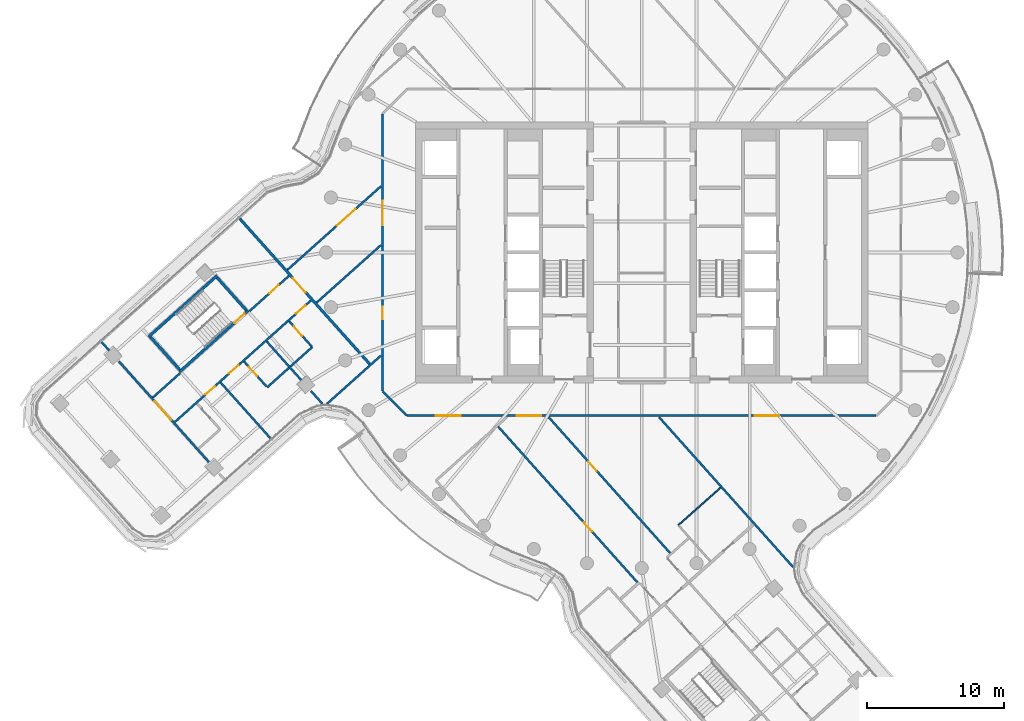
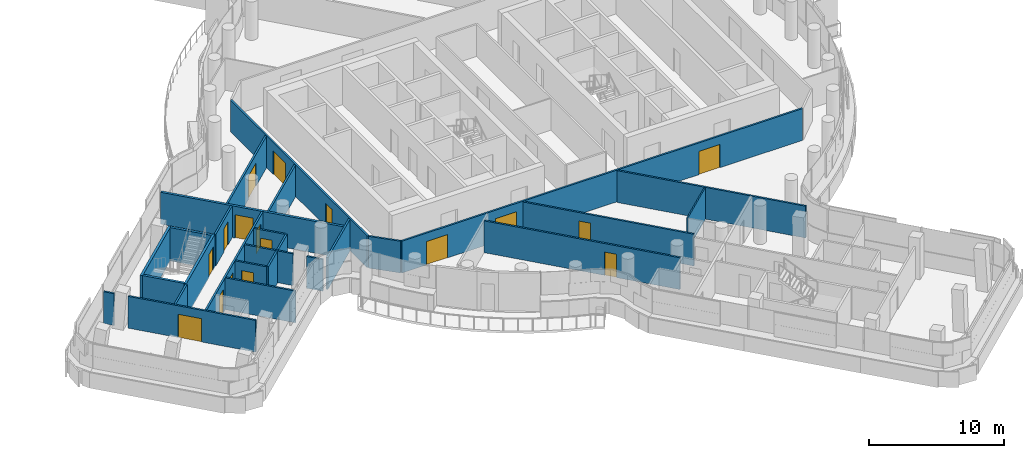
# One storey, part 21 of 33: 26 walls, 17 doors, 17 openings.
"""IFC4 building model written with IfcOpenShell, lengths in metres."""

from ifc_helpers import new_model, si_unit, direction, frame, frame_2d, origin, place, context, subcontext, project, spatial, polyline, rectangle, outline, extrude, material, layer, layer_set, type_object, element, fill, save


model = new_model("IFC4")

# Units and contexts
model_context = context("Model", 3, precision=1e-05, world=origin(), true_north=direction((0.0, 1.0)))
body_context = subcontext(model_context, "Body", "Model", "MODEL_VIEW")
ifc_project = project(units=[si_unit("LENGTHUNIT", "METRE"), si_unit("AREAUNIT", "SQUARE_METRE"), si_unit("VOLUMEUNIT", "CUBIC_METRE"), si_unit("PLANEANGLEUNIT", "RADIAN"), si_unit("MASSUNIT", "GRAM", prefix="KILO")], contexts=[model_context])

# Site, building, storey
site_placement = place(None, origin())
site = spatial("IfcSite", under=ifc_project, at=site_placement, CompositionType="ELEMENT")
building_placement = place(site_placement, origin())
building = spatial("IfcBuilding", under=site, at=building_placement, Name="Tamarind Cross Interchange Tower", CompositionType="ELEMENT")
storey_placement = place(building_placement, frame((0.0, 0.0, 186.10009765625)))
storey = spatial("IfcBuildingStorey", under=building, at=storey_placement, Name="L46", CompositionType="ELEMENT", Elevation=186.10009765625)

# Walls
ifc_material_1 = material(Name="Gypsum board partition on steel studs", Category="steel")
ifc_layer_1 = layer(ifc_material_1, 0.10009765625)
ifc_layer_set_1 = layer_set([ifc_layer_1], Name="Gypsum board partition on steel studs")
wall_type_1 = type_object("IfcWallType", Name="Partition 100 mm EI 90", PredefinedType="PARTITIONING", material=ifc_layer_set_1)
wall_1_placement = place(storey_placement, frame((2.668212890625, -19.88330078125, 0.0), z_axis=(0.0, 0.0, 1.0), x_axis=(0.745587906821, 0.666407287777, 0.0)))
element("IfcWall", 1, at=wall_1_placement, inside=storey, type_object=wall_type_1, Name="Partition L46-063", PredefinedType="PARTITIONING", context=body_context, shape_type="SweptSolid", body=[
    extrude(rectangle(XDim=4.12548828125, YDim=0.10009765625, at=frame_2d((2.062744140625, 0.0))), origin(), (0.0, 0.0, 1.0), 2.864013671875),
])
ifc_layer_2 = layer(ifc_material_1, 0.14990234375)
ifc_layer_set_2 = layer_set([ifc_layer_2], Name="Gypsum board partition on steel studs")
wall_type_2 = type_object("IfcWallType", Name="Partition 150 mm EI 120", PredefinedType="PARTITIONING", material=ifc_layer_set_2)
wall_2_placement = place(storey_placement, frame((-39.362548828125, -6.534423828125, 0.0), z_axis=(0.0, 0.0, 1.0), x_axis=(0.666369607843, -0.745621583475, 0.0)))
element("IfcWall", 2, at=wall_2_placement, inside=storey, type_object=wall_type_2, Name="Partition L46-001", PredefinedType="PARTITIONING", context=body_context, shape_type="SweptSolid", body=[
    extrude(rectangle(XDim=0.822509765625, YDim=0.14990234375, at=frame_2d((0.4111328125, 0.0))), origin(), (0.0, 0.0, 1.0), 2.864013671875),
])

# Wall, opening, door
wall_3_placement = place(storey_placement, frame((-38.105224609375, -7.94091796875, 0.0), z_axis=(0.0, 0.0, 1.0), x_axis=(0.666419304461, -0.745577166121, 0.0)))
wall_3 = element("IfcWall", 3, at=wall_3_placement, inside=storey, type_object=wall_type_2, Name="Partition L46-002", PredefinedType="PARTITIONING", context=body_context, shape_type="SweptSolid", body=[
    extrude(rectangle(XDim=9.9404296875, YDim=0.14990234375, at=frame_2d((4.97021484375, 0.0))), origin(), (0.0, 0.0, 1.0), 2.864013671875),
])
opening_1_placement = place(wall_3_placement, frame((3.912841796875, 0.0, 0.0)))
opening_1 = element("IfcOpeningElement", 4, at=opening_1_placement, cuts=wall_3, Name="Opening D01", PredefinedType="OPENING", context=body_context, shape_type="SweptSolid", body=[
    extrude(rectangle(XDim=1.800048828125, YDim=2.10009765625, at=frame_2d((0.89990234375, 1.050048828125))), frame((0.0, 0.0849609375, 0.0), z_axis=(0.0, -1.0, 0.0), x_axis=(1.0, 0.0, 0.0)), (0.0, 0.0, 1.0), 0.169921875),
])
ifc_material_2 = material(Name="Fire-resisting door set")
door_type_1 = type_object("IfcDoorType", Name="Interior door 1800 x 2100 FD60S", OperationType="DOUBLE_DOOR_SINGLE_SWING", PredefinedType="DOOR", material=ifc_material_2)
door_1_placement = place(opening_1_placement, frame((1.800048828125, 0.0, 0.0), z_axis=(0.0, 0.0, 1.0), x_axis=(-1.0, 0.0, 0.0)))
door_1 = element("IfcDoor", 5, at=door_1_placement, inside=storey, type_object=door_type_1, Name="Door D01", OperationType="DOUBLE_DOOR_SINGLE_SWING", OverallHeight=2.10009765625, OverallWidth=1.800048828125, PredefinedType="DOOR", context=body_context, shape_type="SweptSolid", body=[
    extrude(rectangle(XDim=1.800048828125, YDim=2.10009765625, at=frame_2d((0.89990234375, 1.050048828125))), frame((0.0, 0.02490234375, 0.0), z_axis=(0.0, -1.0, 0.0), x_axis=(1.0, 0.0, 0.0)), (0.0, 0.0, 1.0), 0.050048828125),
])
fill(opening_1, door_1)

# Wall
wall_4_placement = place(storey_placement, frame((-30.690673828125, -9.484619140625, 0.0), z_axis=(0.0, 0.0, 1.0), x_axis=(0.666417845064, -0.745578470572, 0.0)))
element("IfcWall", 6, at=wall_4_placement, inside=storey, type_object=wall_type_2, Name="Partition L46-005", PredefinedType="PARTITIONING", context=body_context, shape_type="SweptSolid", body=[
    extrude(rectangle(XDim=5.45263671875, YDim=0.14990234375, at=frame_2d((2.726318359375, 0.0))), origin(), (0.0, 0.0, 1.0), 2.864013671875),
])

# Wall, opening, door
wall_5_placement = place(storey_placement, frame((-28.9755859375, -7.95166015625, 0.0), z_axis=(0.0, 0.0, 1.0), x_axis=(0.666329800136, -0.745657158117, 0.0)))
wall_5 = element("IfcWall", 7, at=wall_5_placement, inside=storey, type_object=wall_type_2, Name="Partition L46-007", PredefinedType="PARTITIONING", context=body_context, shape_type="SweptSolid", body=[
    extrude(rectangle(XDim=2.440673828125, YDim=0.14990234375, at=frame_2d((1.22021484375, 0.0))), origin(), (0.0, 0.0, 1.0), 2.864013671875),
])
opening_2_placement = place(wall_5_placement, frame((0.52001953125, 0.0, 0.0)))
opening_2 = element("IfcOpeningElement", 8, at=opening_2_placement, cuts=wall_5, Name="Opening D04", PredefinedType="OPENING", context=body_context, shape_type="SweptSolid", body=[
    extrude(rectangle(XDim=0.89990234375, YDim=2.10009765625, at=frame_2d((0.449951171875, 1.050048828125))), frame((0.0, 0.0849609375, 0.0), z_axis=(0.0, -1.0, 0.0), x_axis=(1.0, 0.0, 0.0)), (0.0, 0.0, 1.0), 0.169921875),
])
door_type_2 = type_object("IfcDoorType", Name="Interior door 900 x 2100 FD60S", OperationType="SINGLE_SWING_LEFT", PredefinedType="DOOR", material=ifc_material_2)
door_2_placement = place(opening_2_placement, origin())
door_2 = element("IfcDoor", 9, at=door_2_placement, inside=storey, type_object=door_type_2, Name="Door D04", OperationType="SINGLE_SWING_RIGHT", OverallHeight=2.10009765625, OverallWidth=0.89990234375, PredefinedType="DOOR", context=body_context, shape_type="SweptSolid", body=[
    extrude(rectangle(XDim=0.89990234375, YDim=2.10009765625, at=frame_2d((0.449951171875, 1.050048828125))), frame((0.0, 0.02490234375, 0.0), z_axis=(0.0, -1.0, 0.0), x_axis=(1.0, 0.0, 0.0)), (0.0, 0.0, 1.0), 0.050048828125),
])
fill(opening_2, door_2)

# Walls
wall_6_placement = place(storey_placement, frame((-27.335693359375, -6.485595703125, 0.0), z_axis=(0.0, 0.0, 1.0), x_axis=(0.66639309092, -0.745600595744, 0.0)))
element("IfcWall", 10, at=wall_6_placement, inside=storey, type_object=wall_type_2, Name="Partition L46-008", PredefinedType="PARTITIONING", context=body_context, shape_type="SweptSolid", body=[
    extrude(rectangle(XDim=3.7666015625, YDim=0.14990234375, at=frame_2d((1.88330078125, 0.0))), origin(), (0.0, 0.0, 1.0), 2.864013671875),
])
wall_7_placement = place(storey_placement, frame((-24.11669921875, -10.08740234375, 0.0), z_axis=(0.0, 0.0, 1.0), x_axis=(0.666380789651, -0.745611590028, 0.0)))
element("IfcWall", 11, at=wall_7_placement, inside=storey, type_object=wall_type_2, Name="Partition L46-009", PredefinedType="PARTITIONING", context=body_context, shape_type="SweptSolid", body=[
    extrude(rectangle(XDim=1.275634765625, YDim=0.14990234375, at=frame_2d((0.6376953125, 0.0))), origin(), (0.0, 0.0, 1.0), 2.864013671875),
])

# Wall, opening, door
wall_8_placement = place(storey_placement, frame((-25.694580078125, -5.01953125, 0.0), z_axis=(0.0, 0.0, 1.0), x_axis=(0.666305353451, -0.7456790033, 0.0)))
wall_8 = element("IfcWall", 12, at=wall_8_placement, inside=storey, type_object=wall_type_2, Name="Partition L46-010", PredefinedType="PARTITIONING", context=body_context, shape_type="SweptSolid", body=[
    extrude(rectangle(XDim=2.479248046875, YDim=0.14990234375, at=frame_2d((1.23974609375, 0.0))), origin(), (0.0, 0.0, 1.0), 2.864013671875),
])
opening_3_placement = place(wall_8_placement, frame((0.52001953125, 0.0, 0.0)))
opening_3 = element("IfcOpeningElement", 13, at=opening_3_placement, cuts=wall_8, Name="Opening D05", PredefinedType="OPENING", context=body_context, shape_type="SweptSolid", body=[
    extrude(rectangle(XDim=0.89990234375, YDim=2.10009765625, at=frame_2d((0.449951171875, 1.050048828125))), frame((0.0, 0.0849609375, 0.0), z_axis=(0.0, -1.0, 0.0), x_axis=(1.0, 0.0, 0.0)), (0.0, 0.0, 1.0), 0.169921875),
])
door_3_placement = place(opening_3_placement, frame((0.89990234375, 0.0, 0.0), z_axis=(0.0, 0.0, 1.0), x_axis=(-1.0, 0.0, 0.0)))
door_3 = element("IfcDoor", 14, at=door_3_placement, inside=storey, type_object=door_type_2, Name="Door D05", OperationType="SINGLE_SWING_LEFT", OverallHeight=2.10009765625, OverallWidth=0.89990234375, PredefinedType="DOOR", context=body_context, shape_type="SweptSolid", body=[
    extrude(rectangle(XDim=0.89990234375, YDim=2.10009765625, at=frame_2d((0.449951171875, 1.050048828125))), frame((0.0, 0.02490234375, 0.0), z_axis=(0.0, -1.0, 0.0), x_axis=(1.0, 0.0, 0.0)), (0.0, 0.0, 1.0), 0.050048828125),
])
fill(opening_3, door_3)

wall_9_placement = place(storey_placement, frame((-10.4697265625, -12.6875, 0.0), z_axis=(0.0, 0.0, 1.0), x_axis=(0.666418267017, -0.745578093419, 0.0)))
wall_9 = element("IfcWall", 15, at=wall_9_placement, inside=storey, type_object=wall_type_2, Name="Partition L46-019", PredefinedType="PARTITIONING", context=body_context, shape_type="SweptSolid", body=[
    extrude(rectangle(XDim=15.22021484375, YDim=0.14990234375, at=frame_2d((7.610107421875, 0.0))), origin(), (0.0, 0.0, 1.0), 2.864013671875),
])
opening_4_placement = place(wall_9_placement, frame((9.3701171875, 0.0, 0.0)))
opening_4 = element("IfcOpeningElement", 16, at=opening_4_placement, cuts=wall_9, Name="Opening D10", PredefinedType="OPENING", context=body_context, shape_type="SweptSolid", body=[
    extrude(rectangle(XDim=0.89990234375, YDim=2.10009765625, at=frame_2d((0.449951171875, 1.050048828125))), frame((0.0, 0.0849609375, 0.0), z_axis=(0.0, -1.0, 0.0), x_axis=(1.0, 0.0, 0.0)), (0.0, 0.0, 1.0), 0.169921875),
])
door_4_placement = place(opening_4_placement, frame((0.89990234375, 0.0, 0.0), z_axis=(0.0, 0.0, 1.0), x_axis=(-1.0, 0.0, 0.0)))
door_4 = element("IfcDoor", 17, at=door_4_placement, inside=storey, type_object=door_type_2, Name="Door D10", OperationType="SINGLE_SWING_RIGHT", OverallHeight=2.10009765625, OverallWidth=0.89990234375, PredefinedType="DOOR", context=body_context, shape_type="SweptSolid", body=[
    extrude(rectangle(XDim=0.89990234375, YDim=2.10009765625, at=frame_2d((0.449951171875, 1.050048828125))), frame((0.0, 0.02490234375, 0.0), z_axis=(0.0, -1.0, 0.0), x_axis=(1.0, 0.0, 0.0)), (0.0, 0.0, 1.0), 0.050048828125),
])
fill(opening_4, door_4)

wall_10_placement = place(storey_placement, frame((-6.785400390625, -12.008056640625, 0.0), z_axis=(0.0, 0.0, 1.0), x_axis=(0.666416805169, -0.745579400056, 0.0)))
wall_10 = element("IfcWall", 18, at=wall_10_placement, inside=storey, type_object=wall_type_2, Name="Partition L46-021", PredefinedType="PARTITIONING", context=body_context, shape_type="SweptSolid", body=[
    extrude(rectangle(XDim=13.292236328125, YDim=0.14990234375, at=frame_2d((6.64599609375, 0.0))), origin(), (0.0, 0.0, 1.0), 2.864013671875),
])
opening_5_placement = place(wall_10_placement, frame((4.35498046875, 0.0, 0.0)))
opening_5 = element("IfcOpeningElement", 19, at=opening_5_placement, cuts=wall_10, Name="Opening D11", PredefinedType="OPENING", context=body_context, shape_type="SweptSolid", body=[
    extrude(rectangle(XDim=0.89990234375, YDim=2.10009765625, at=frame_2d((0.449951171875, 1.050048828125))), frame((0.0, 0.0849609375, 0.0), z_axis=(0.0, -1.0, 0.0), x_axis=(1.0, 0.0, 0.0)), (0.0, 0.0, 1.0), 0.169921875),
])
door_5_placement = place(opening_5_placement, origin())
door_5 = element("IfcDoor", 20, at=door_5_placement, inside=storey, type_object=door_type_2, Name="Door D11", OperationType="SINGLE_SWING_RIGHT", OverallHeight=2.10009765625, OverallWidth=0.89990234375, PredefinedType="DOOR", context=body_context, shape_type="SweptSolid", body=[
    extrude(rectangle(XDim=0.89990234375, YDim=2.10009765625, at=frame_2d((0.449951171875, 1.050048828125))), frame((0.0, 0.02490234375, 0.0), z_axis=(0.0, -1.0, 0.0), x_axis=(1.0, 0.0, 0.0)), (0.0, 0.0, 1.0), 0.050048828125),
])
fill(opening_5, door_5)

# Walls
wall_11_placement = place(storey_placement, frame((1.2626953125, -12.008056640625, 0.0), z_axis=(0.0, 0.0, 1.0), x_axis=(0.666447481512, -0.745551979668, 0.0)))
element("IfcWall", 21, at=wall_11_placement, inside=storey, type_object=wall_type_2, Name="Partition L46-026", PredefinedType="PARTITIONING", context=body_context, shape_type="SweptSolid", body=[
    extrude(rectangle(XDim=14.650634765625, YDim=0.14990234375, at=frame_2d((7.3251953125, 0.0))), origin(), (0.0, 0.0, 1.0), 2.864013671875),
])
wall_12_placement = place(storey_placement, frame((-18.87158203125, -10.12841796875, 0.0), z_axis=(0.0, 0.0, 1.0), x_axis=(0.707106781187, -0.707106781187, 0.0)))
element("IfcWall", 22, at=wall_12_placement, inside=storey, type_object=wall_type_2, Name="Partition L46-034", PredefinedType="PARTITIONING", context=body_context, shape_type="SweptSolid", body=[
    extrude(rectangle(XDim=2.465087890625, YDim=0.14990234375, at=frame_2d((1.232421875, 0.0))), origin(), (0.0, 0.0, 1.0), 2.864013671875),
])

# Wall, openings, doors
wall_13_placement = place(storey_placement, frame((-17.10009765625, -11.89990234375, 0.0), z_axis=(0.0, 0.0, 1.0), x_axis=(1.0, 0.0, 0.0)))
wall_13 = element("IfcWall", 23, at=wall_13_placement, inside=storey, type_object=wall_type_2, Name="Partition L46-036", PredefinedType="PARTITIONING", context=body_context, shape_type="SweptSolid", body=[
    extrude(rectangle(XDim=34.1650390625, YDim=0.14990234375, at=frame_2d((17.08251953125, 0.0))), origin(), (0.0, 0.0, 1.0), 2.864013671875),
])
opening_6_placement = place(wall_13_placement, frame((7.991943359375, 0.0, 0.0)))
opening_6 = element("IfcOpeningElement", 24, at=opening_6_placement, cuts=wall_13, Name="Opening D19", PredefinedType="OPENING", context=body_context, shape_type="SweptSolid", body=[
    extrude(rectangle(XDim=1.800048828125, YDim=2.10009765625, at=frame_2d((0.89990234375, 1.050048828125))), frame((0.0, 0.0849609375, 0.0), z_axis=(0.0, -1.0, 0.0), x_axis=(1.0, 0.0, 0.0)), (0.0, 0.0, 1.0), 0.169921875),
])
opening_7_placement = place(wall_13_placement, frame((2.10009765625, 0.0, 0.0)))
opening_7 = element("IfcOpeningElement", 25, at=opening_7_placement, cuts=wall_13, Name="Opening D20", PredefinedType="OPENING", context=body_context, shape_type="SweptSolid", body=[
    extrude(rectangle(XDim=1.800048828125, YDim=2.10009765625, at=frame_2d((0.89990234375, 1.050048828125))), frame((0.0, 0.0849609375, 0.0), z_axis=(0.0, -1.0, 0.0), x_axis=(1.0, 0.0, 0.0)), (0.0, 0.0, 1.0), 0.169921875),
])
opening_8_placement = place(wall_13_placement, frame((25.31591796875, 0.0, 0.0)))
opening_8 = element("IfcOpeningElement", 26, at=opening_8_placement, cuts=wall_13, Name="Opening D21", PredefinedType="OPENING", context=body_context, shape_type="SweptSolid", body=[
    extrude(rectangle(XDim=1.800048828125, YDim=2.10009765625, at=frame_2d((0.89990234375, 1.050048828125))), frame((0.0, 0.0849609375, 0.0), z_axis=(0.0, -1.0, 0.0), x_axis=(1.0, 0.0, 0.0)), (0.0, 0.0, 1.0), 0.169921875),
])
door_6_placement = place(opening_6_placement, origin())
door_6 = element("IfcDoor", 27, at=door_6_placement, inside=storey, type_object=door_type_1, Name="Door D19", OperationType="DOUBLE_DOOR_SINGLE_SWING", OverallHeight=2.10009765625, OverallWidth=1.800048828125, PredefinedType="DOOR", context=body_context, shape_type="SweptSolid", body=[
    extrude(rectangle(XDim=1.800048828125, YDim=2.10009765625, at=frame_2d((0.89990234375, 1.050048828125))), frame((0.0, 0.02490234375, 0.0), z_axis=(0.0, -1.0, 0.0), x_axis=(1.0, 0.0, 0.0)), (0.0, 0.0, 1.0), 0.050048828125),
])
fill(opening_6, door_6)
door_7_placement = place(opening_7_placement, frame((1.800048828125, 0.0, 0.0), z_axis=(0.0, 0.0, 1.0), x_axis=(-1.0, 0.0, 0.0)))
door_7 = element("IfcDoor", 28, at=door_7_placement, inside=storey, type_object=door_type_1, Name="Door D20", OperationType="DOUBLE_DOOR_SINGLE_SWING", OverallHeight=2.10009765625, OverallWidth=1.800048828125, PredefinedType="DOOR", context=body_context, shape_type="SweptSolid", body=[
    extrude(rectangle(XDim=1.800048828125, YDim=2.10009765625, at=frame_2d((0.89990234375, 1.050048828125))), frame((0.0, 0.02490234375, 0.0), z_axis=(0.0, -1.0, 0.0), x_axis=(1.0, 0.0, 0.0)), (0.0, 0.0, 1.0), 0.050048828125),
])
fill(opening_7, door_7)
door_8_placement = place(opening_8_placement, frame((1.800048828125, 0.0, 0.0), z_axis=(0.0, 0.0, 1.0), x_axis=(-1.0, 0.0, 0.0)))
door_8 = element("IfcDoor", 29, at=door_8_placement, inside=storey, type_object=door_type_1, Name="Door D21", OperationType="DOUBLE_DOOR_SINGLE_SWING", OverallHeight=2.10009765625, OverallWidth=1.800048828125, PredefinedType="DOOR", context=body_context, shape_type="SweptSolid", body=[
    extrude(rectangle(XDim=1.800048828125, YDim=2.10009765625, at=frame_2d((0.89990234375, 1.050048828125))), frame((0.0, 0.02490234375, 0.0), z_axis=(0.0, -1.0, 0.0), x_axis=(1.0, 0.0, 0.0)), (0.0, 0.0, 1.0), 0.050048828125),
])
fill(opening_8, door_8)

# Wall
wall_14_placement = place(storey_placement, frame((-35.638427734375, -10.581787109375, 0.0), z_axis=(0.0, 0.0, 1.0), x_axis=(0.745541475778, 0.666459231983, 0.0)))
element("IfcWall", 30, at=wall_14_placement, inside=storey, type_object=wall_type_2, Name="Partition L46-044", PredefinedType="PARTITIONING", context=body_context, shape_type="SweptSolid", body=[
    extrude(rectangle(XDim=2.6796875, YDim=0.14990234375, at=frame_2d((1.33984375, 0.0))), origin(), (0.0, 0.0, 1.0), 2.864013671875),
])

# Wall, opening, door
wall_15_placement = place(storey_placement, frame((-28.586181640625, -4.27783203125, 0.0), z_axis=(0.0, 0.0, 1.0), x_axis=(0.745550479018, 0.666449160279, 0.0)))
wall_15 = element("IfcWall", 31, at=wall_15_placement, inside=storey, type_object=wall_type_2, Name="Partition L46-045", PredefinedType="PARTITIONING", context=body_context, shape_type="SweptSolid", body=[
    extrude(rectangle(XDim=3.861083984375, YDim=0.14990234375, at=frame_2d((1.9306640625, 0.0))), origin(), (0.0, 0.0, 1.0), 2.864013671875),
])
opening_9_placement = place(wall_15_placement, frame((1.949951171875, 0.0, 0.0)))
opening_9 = element("IfcOpeningElement", 32, at=opening_9_placement, cuts=wall_15, Name="Opening D25", PredefinedType="OPENING", context=body_context, shape_type="SweptSolid", body=[
    extrude(rectangle(XDim=0.89990234375, YDim=2.10009765625, at=frame_2d((0.449951171875, 1.050048828125))), frame((0.0, 0.0849609375, 0.0), z_axis=(0.0, -1.0, 0.0), x_axis=(1.0, 0.0, 0.0)), (0.0, 0.0, 1.0), 0.169921875),
])
door_9_placement = place(opening_9_placement, origin())
door_9 = element("IfcDoor", 33, at=door_9_placement, inside=storey, type_object=door_type_2, Name="Door D25", OperationType="SINGLE_SWING_LEFT", OverallHeight=2.10009765625, OverallWidth=0.89990234375, PredefinedType="DOOR", context=body_context, shape_type="SweptSolid", body=[
    extrude(rectangle(XDim=0.89990234375, YDim=2.10009765625, at=frame_2d((0.449951171875, 1.050048828125))), frame((0.0, 0.02490234375, 0.0), z_axis=(0.0, -1.0, 0.0), x_axis=(1.0, 0.0, 0.0)), (0.0, 0.0, 1.0), 0.050048828125),
])
fill(opening_9, door_9)

# Wall, openings, doors
wall_16_placement = place(storey_placement, frame((-34.039306640625, -12.37060546875, 0.0), z_axis=(0.0, 0.0, 1.0), x_axis=(0.745755249161, 0.666220014972, 0.0)))
wall_16 = element("IfcWall", 34, at=wall_16_placement, inside=storey, type_object=wall_type_2, Name="Partition L46-046", PredefinedType="PARTITIONING", context=body_context, shape_type="SweptSolid", body=[
    extrude(rectangle(XDim=13.300537109375, YDim=0.14990234375, at=frame_2d((6.650390625, 0.0))), origin(), (0.0, 0.0, 1.0), 2.864013671875),
])
opening_10_placement = place(wall_16_placement, frame((11.87060546875, 0.0, 0.0)))
opening_10 = element("IfcOpeningElement", 35, at=opening_10_placement, cuts=wall_16, Name="Opening D26", PredefinedType="OPENING", context=body_context, shape_type="SweptSolid", body=[
    extrude(rectangle(XDim=0.89990234375, YDim=2.10009765625, at=frame_2d((0.449951171875, 1.050048828125))), frame((0.0, 0.0849609375, 0.0), z_axis=(0.0, -1.0, 0.0), x_axis=(1.0, 0.0, 0.0)), (0.0, 0.0, 1.0), 0.169921875),
])
opening_11_placement = place(wall_16_placement, frame((5.320068359375, 0.0, 0.0)))
opening_11 = element("IfcOpeningElement", 36, at=opening_11_placement, cuts=wall_16, Name="Opening D27", PredefinedType="OPENING", context=body_context, shape_type="SweptSolid", body=[
    extrude(rectangle(XDim=0.89990234375, YDim=2.10009765625, at=frame_2d((0.449951171875, 1.050048828125))), frame((0.0, 0.0849609375, 0.0), z_axis=(0.0, -1.0, 0.0), x_axis=(1.0, 0.0, 0.0)), (0.0, 0.0, 1.0), 0.169921875),
])
opening_12_placement = place(wall_16_placement, frame((3.0205078125, 0.0, 0.0)))
opening_12 = element("IfcOpeningElement", 37, at=opening_12_placement, cuts=wall_16, Name="Opening D28", PredefinedType="OPENING", context=body_context, shape_type="SweptSolid", body=[
    extrude(rectangle(XDim=0.89990234375, YDim=2.10009765625, at=frame_2d((0.449951171875, 1.050048828125))), frame((0.0, 0.0849609375, 0.0), z_axis=(0.0, -1.0, 0.0), x_axis=(1.0, 0.0, 0.0)), (0.0, 0.0, 1.0), 0.169921875),
])
door_10_placement = place(opening_10_placement, frame((0.89990234375, 0.0, 0.0), z_axis=(0.0, 0.0, 1.0), x_axis=(-1.0, 0.0, 0.0)))
door_10 = element("IfcDoor", 38, at=door_10_placement, inside=storey, type_object=door_type_2, Name="Door D26", OperationType="SINGLE_SWING_RIGHT", OverallHeight=2.10009765625, OverallWidth=0.89990234375, PredefinedType="DOOR", context=body_context, shape_type="SweptSolid", body=[
    extrude(rectangle(XDim=0.89990234375, YDim=2.10009765625, at=frame_2d((0.449951171875, 1.050048828125))), frame((0.0, 0.02490234375, 0.0), z_axis=(0.0, -1.0, 0.0), x_axis=(1.0, 0.0, 0.0)), (0.0, 0.0, 1.0), 0.050048828125),
])
fill(opening_10, door_10)
door_11_placement = place(opening_11_placement, frame((0.89990234375, 0.0, 0.0), z_axis=(0.0, 0.0, 1.0), x_axis=(-1.0, 0.0, 0.0)))
door_11 = element("IfcDoor", 39, at=door_11_placement, inside=storey, type_object=door_type_2, Name="Door D27", OperationType="SINGLE_SWING_LEFT", OverallHeight=2.10009765625, OverallWidth=0.89990234375, PredefinedType="DOOR", context=body_context, shape_type="SweptSolid", body=[
    extrude(rectangle(XDim=0.89990234375, YDim=2.10009765625, at=frame_2d((0.449951171875, 1.050048828125))), frame((0.0, 0.02490234375, 0.0), z_axis=(0.0, -1.0, 0.0), x_axis=(1.0, 0.0, 0.0)), (0.0, 0.0, 1.0), 0.050048828125),
])
fill(opening_11, door_11)
door_12_placement = place(opening_12_placement, frame((0.89990234375, 0.0, 0.0), z_axis=(0.0, 0.0, 1.0), x_axis=(-1.0, 0.0, 0.0)))
door_12 = element("IfcDoor", 40, at=door_12_placement, inside=storey, type_object=door_type_2, Name="Door D28", OperationType="SINGLE_SWING_LEFT", OverallHeight=2.10009765625, OverallWidth=0.89990234375, PredefinedType="DOOR", context=body_context, shape_type="SweptSolid", body=[
    extrude(rectangle(XDim=0.89990234375, YDim=2.10009765625, at=frame_2d((0.449951171875, 1.050048828125))), frame((0.0, 0.02490234375, 0.0), z_axis=(0.0, -1.0, 0.0), x_axis=(1.0, 0.0, 0.0)), (0.0, 0.0, 1.0), 0.050048828125),
])
fill(opening_12, door_12)

# Wall
wall_17_placement = place(storey_placement, frame((-27.29638671875, -9.830322265625, 0.0), z_axis=(0.0, 0.0, 1.0), x_axis=(0.74553583902, 0.666465537546, 0.0)))
element("IfcWall", 41, at=wall_17_placement, inside=storey, type_object=wall_type_2, Name="Partition L46-048", PredefinedType="PARTITIONING", context=body_context, shape_type="SweptSolid", body=[
    extrude(rectangle(XDim=4.39990234375, YDim=0.14990234375, at=frame_2d((2.199951171875, 0.0))), origin(), (0.0, 0.0, 1.0), 2.864013671875),
])

# Wall, opening, door
wall_18_placement = place(storey_placement, frame((-25.824462890625, -1.2734375, 0.0), z_axis=(0.0, 0.0, 1.0), x_axis=(0.745520592409, 0.666482592641, 0.0)))
wall_18 = element("IfcWall", 42, at=wall_18_placement, inside=storey, type_object=wall_type_2, Name="Partition L46-049", PredefinedType="PARTITIONING", context=body_context, shape_type="SweptSolid", body=[
    extrude(rectangle(XDim=9.14306640625, YDim=0.14990234375, at=frame_2d((4.571533203125, 0.0))), origin(), (0.0, 0.0, 1.0), 2.864013671875),
])
opening_13_placement = place(wall_18_placement, frame((4.85009765625, 0.0, 0.0)))
opening_13 = element("IfcOpeningElement", 43, at=opening_13_placement, cuts=wall_18, Name="Opening D29", PredefinedType="OPENING", context=body_context, shape_type="SweptSolid", body=[
    extrude(rectangle(XDim=1.800048828125, YDim=2.10009765625, at=frame_2d((0.89990234375, 1.050048828125))), frame((0.0, 0.0849609375, 0.0), z_axis=(0.0, -1.0, 0.0), x_axis=(1.0, 0.0, 0.0)), (0.0, 0.0, 1.0), 0.169921875),
])
door_13_placement = place(opening_13_placement, origin())
door_13 = element("IfcDoor", 44, at=door_13_placement, inside=storey, type_object=door_type_1, Name="Door D29", OperationType="DOUBLE_DOOR_SINGLE_SWING", OverallHeight=2.10009765625, OverallWidth=1.800048828125, PredefinedType="DOOR", context=body_context, shape_type="SweptSolid", body=[
    extrude(rectangle(XDim=1.800048828125, YDim=2.10009765625, at=frame_2d((0.89990234375, 1.050048828125))), frame((0.0, 0.02490234375, 0.0), z_axis=(0.0, -1.0, 0.0), x_axis=(1.0, 0.0, 0.0)), (0.0, 0.0, 1.0), 0.050048828125),
])
fill(opening_13, door_13)

# Walls
wall_19_placement = place(storey_placement, frame((-23.6923828125, -3.658447265625, 0.0), z_axis=(0.0, 0.0, 1.0), x_axis=(0.745594888816, 0.666399476119, 0.0)))
element("IfcWall", 45, at=wall_19_placement, inside=storey, type_object=wall_type_2, Name="Partition L46-050", PredefinedType="PARTITIONING", context=body_context, shape_type="SweptSolid", body=[
    extrude(rectangle(XDim=6.28271484375, YDim=0.14990234375, at=frame_2d((3.141357421875, 0.0))), origin(), (0.0, 0.0, 1.0), 2.864013671875),
])
wall_20_placement = place(storey_placement, frame((-22.932373046875, -11.026611328125, 0.0), z_axis=(0.0, 0.0, 1.0), x_axis=(0.745633052356, 0.666356774735, 0.0)))
element("IfcWall", 46, at=wall_20_placement, inside=storey, type_object=wall_type_2, Name="Partition L46-051", PredefinedType="PARTITIONING", context=body_context, shape_type="SweptSolid", body=[
    extrude(rectangle(XDim=5.26318359375, YDim=0.14990234375, at=frame_2d((2.631591796875, 0.0))), origin(), (0.0, 0.0, 1.0), 2.864013671875),
])

# Wall, openings, doors
wall_21_placement = place(storey_placement, frame((-18.89990234375, -10.10009765625, 0.0), z_axis=(0.0, 0.0, 1.0), x_axis=(0.0, 1.0, 0.0)))
wall_21 = element("IfcWall", 47, at=wall_21_placement, inside=storey, type_object=wall_type_2, Name="Partition L46-076", PredefinedType="PARTITIONING", context=body_context, shape_type="SweptSolid", body=[
    extrude(rectangle(XDim=20.2001953125, YDim=0.14990234375, at=frame_2d((10.10009765625, 0.0))), origin(), (0.0, 0.0, 1.0), 2.864013671875),
])
opening_14_placement = place(wall_21_placement, frame((12.074951171875, 0.0, 0.0)))
opening_14 = element("IfcOpeningElement", 48, at=opening_14_placement, cuts=wall_21, Name="Opening D41", PredefinedType="OPENING", context=body_context, shape_type="SweptSolid", body=[
    extrude(rectangle(XDim=1.800048828125, YDim=2.10009765625, at=frame_2d((0.89990234375, 1.050048828125))), frame((0.0, 0.0849609375, 0.0), z_axis=(0.0, -1.0, 0.0), x_axis=(1.0, 0.0, 0.0)), (0.0, 0.0, 1.0), 0.169921875),
])
opening_15_placement = place(wall_21_placement, frame((5.22705078125, 0.0, 0.0)))
opening_15 = element("IfcOpeningElement", 49, at=opening_15_placement, cuts=wall_21, Name="Opening D42", PredefinedType="OPENING", context=body_context, shape_type="SweptSolid", body=[
    extrude(rectangle(XDim=0.89990234375, YDim=2.10009765625, at=frame_2d((0.449951171875, 1.050048828125))), frame((0.0, 0.0849609375, 0.0), z_axis=(0.0, -1.0, 0.0), x_axis=(1.0, 0.0, 0.0)), (0.0, 0.0, 1.0), 0.169921875),
])
door_14_placement = place(opening_14_placement, frame((1.800048828125, 0.0, 0.0), z_axis=(0.0, 0.0, 1.0), x_axis=(-1.0, 0.0, 0.0)))
door_14 = element("IfcDoor", 50, at=door_14_placement, inside=storey, type_object=door_type_1, Name="Door D41", OperationType="DOUBLE_DOOR_SINGLE_SWING", OverallHeight=2.10009765625, OverallWidth=1.800048828125, PredefinedType="DOOR", context=body_context, shape_type="SweptSolid", body=[
    extrude(rectangle(XDim=1.800048828125, YDim=2.10009765625, at=frame_2d((0.89990234375, 1.050048828125))), frame((0.0, 0.02490234375, 0.0), z_axis=(0.0, -1.0, 0.0), x_axis=(1.0, 0.0, 0.0)), (0.0, 0.0, 1.0), 0.050048828125),
])
fill(opening_14, door_14)
door_15_placement = place(opening_15_placement, origin())
door_15 = element("IfcDoor", 51, at=door_15_placement, inside=storey, type_object=door_type_2, Name="Door D42", OperationType="SINGLE_SWING_RIGHT", OverallHeight=2.10009765625, OverallWidth=0.89990234375, PredefinedType="DOOR", context=body_context, shape_type="SweptSolid", body=[
    extrude(rectangle(XDim=0.89990234375, YDim=2.10009765625, at=frame_2d((0.449951171875, 1.050048828125))), frame((0.0, 0.02490234375, 0.0), z_axis=(0.0, -1.0, 0.0), x_axis=(1.0, 0.0, 0.0)), (0.0, 0.0, 1.0), 0.050048828125),
])
fill(opening_15, door_15)

# Wall, opening, door
ifc_layer_3 = layer(ifc_material_1, 0.199951171875)
ifc_layer_set_3 = layer_set([ifc_layer_3], Name="Gypsum board partition on steel studs")
wall_type_3 = type_object("IfcWallType", Name="Partition 200 mm EI 180", PredefinedType="PARTITIONING", material=ifc_layer_set_3)
wall_22_placement = place(storey_placement, frame((-29.29736328125, 2.46240234375, 0.0), z_axis=(0.0, 0.0, 1.0), x_axis=(0.666350075951, -0.745639038866, 0.0)))
wall_22 = element("IfcWall", 52, at=wall_22_placement, inside=storey, type_object=wall_type_3, Name="Partition L46-006", PredefinedType="PARTITIONING", context=body_context, shape_type="SweptSolid", body=[
    extrude(rectangle(XDim=14.219482421875, YDim=0.199951171875, at=frame_2d((7.10986328125, 0.0))), origin(), (0.0, 0.0, 1.0), 2.864013671875),
])
opening_16_placement = place(wall_22_placement, frame((5.799072265625, 0.0, 0.0)))
opening_16 = element("IfcOpeningElement", 53, at=opening_16_placement, cuts=wall_22, Name="Opening D03", PredefinedType="OPENING", context=body_context, shape_type="SweptSolid", body=[
    extrude(rectangle(XDim=1.39990234375, YDim=2.10009765625, at=frame_2d((0.699951171875, 1.050048828125))), frame((0.0, 0.10986328125, 0.0), z_axis=(0.0, -1.0, 0.0), x_axis=(1.0, 0.0, 0.0)), (0.0, 0.0, 1.0), 0.219970703125),
])
door_type_3 = type_object("IfcDoorType", Name="Interior door 1400 x 2100 FD120S", OperationType="DOUBLE_DOOR_SINGLE_SWING", PredefinedType="DOOR", material=ifc_material_2)
door_16_placement = place(opening_16_placement, origin())
door_16 = element("IfcDoor", 54, at=door_16_placement, inside=storey, type_object=door_type_3, Name="Door D03", OperationType="DOUBLE_DOOR_SINGLE_SWING", OverallHeight=2.10009765625, OverallWidth=1.39990234375, PredefinedType="DOOR", context=body_context, shape_type="SweptSolid", body=[
    extrude(rectangle(XDim=1.39990234375, YDim=2.10009765625, at=frame_2d((0.699951171875, 1.050048828125))), frame((0.0, 0.02490234375, 0.0), z_axis=(0.0, -1.0, 0.0), x_axis=(1.0, 0.0, 0.0)), (0.0, 0.0, 1.0), 0.050048828125),
])
fill(opening_16, door_16)

ifc_material_3 = material(Name="Concrete C40", Category="concrete")
ifc_layer_4 = layer(ifc_material_3, 0.199951171875)
ifc_layer_set_4 = layer_set([ifc_layer_4], Name="Concrete C40")
wall_type_4 = type_object("IfcWallType", Name="Stair shaft wall 200 mm Concrete C40", PredefinedType="SHEAR", material=ifc_layer_set_4)
wall_23_placement = place(storey_placement, frame((-28.681884765625, -4.22900390625, -0.14013671875), z_axis=(0.0, 0.0, 1.0), x_axis=(-0.745554780112, -0.666444348654, 0.0)))
wall_23 = element("IfcWall", 55, at=wall_23_placement, inside=storey, type_object=wall_type_4, Name="Core wall CWL-L46-ST5-H", PredefinedType="SHEAR", context=body_context, shape_type="SweptSolid", body=[
    extrude(rectangle(XDim=6.699951171875, YDim=0.199951171875, at=frame_2d((3.35009765625, 0.0))), origin(), (0.0, 0.0, 1.0), 3.004150390625),
])
opening_17_placement = place(wall_23_placement, frame((0.35009765625, 0.0, 0.0)))
opening_17 = element("IfcOpeningElement", 56, at=opening_17_placement, cuts=wall_23, Name="Opening ST5L46", PredefinedType="OPENING", context=body_context, shape_type="SweptSolid", body=[
    extrude(rectangle(XDim=1.0, YDim=2.10009765625, at=frame_2d((0.5, 1.050048828125))), frame((0.0, 0.10986328125, 0.0), z_axis=(0.0, -1.0, 0.0), x_axis=(1.0, 0.0, 0.0)), (0.0, 0.0, 1.0), 0.219970703125),
])
ifc_material_4 = material(Name="Steel, fire-resisting", Category="steel")
door_type_4 = type_object("IfcDoorType", Name="Core fire door 1000 x 2100 FD90", OperationType="SINGLE_SWING_LEFT", PredefinedType="DOOR", material=ifc_material_4)
door_17_placement = place(opening_17_placement, origin())
door_17 = element("IfcDoor", 57, at=door_17_placement, inside=storey, type_object=door_type_4, Name="L46 stair door ST5", OperationType="SINGLE_SWING_LEFT", OverallHeight=2.10009765625, OverallWidth=1.0, PredefinedType="DOOR", context=body_context, shape_type="SweptSolid", body=[
    extrude(rectangle(XDim=1.0, YDim=2.10009765625, at=frame_2d((0.5, 1.050048828125))), frame((0.0, 0.02490234375, 0.0), z_axis=(0.0, -1.0, 0.0), x_axis=(1.0, 0.0, 0.0)), (0.0, 0.0, 1.0), 0.050048828125),
])
fill(opening_17, door_17)

# Walls
wall_24_placement = place(storey_placement, frame((-30.94775390625, -1.694091796875, -0.14013671875), z_axis=(0.0, 0.0, 1.0), x_axis=(-0.745589069402, -0.666405987059, 0.0)))
element("IfcWall", 58, at=wall_24_placement, inside=storey, type_object=wall_type_4, Name="Core wall CWL-L46-ST5-C", PredefinedType="SHEAR", context=body_context, shape_type="SweptSolid", body=[
    extrude(rectangle(XDim=6.699951171875, YDim=0.199951171875, at=frame_2d((3.35009765625, 0.0))), origin(), (0.0, 0.0, 1.0), 3.004150390625),
])
wall_25_placement = place(storey_placement, frame((-30.95556640625, -1.835205078125, -0.14013671875), z_axis=(0.0, 0.0, 1.0), x_axis=(0.666440186515, -0.745558500587, 0.0)))
element("IfcWall", 59, at=wall_25_placement, inside=storey, type_object=wall_type_4, Name="Core wall CWL-L46-ST5-CE", PredefinedType="SHEAR", context=body_context, shape_type="SweptSolid", body=[
    extrude(rectangle(XDim=3.199951171875, YDim=0.199951171875, at=frame_2d((1.60009765625, 0.0))), origin(), (0.0, 0.0, 1.0), 3.004150390625),
])
wall_26_placement = place(storey_placement, frame((0.0, 0.0, -0.14013671875)))
element("IfcWall", 60, at=wall_26_placement, inside=storey, type_object=wall_type_4, Name="Core wall CWL-L46-ST5-CF", PredefinedType="SHEAR", context=body_context, shape_type="SweptSolid", body=[
    extrude(outline(polyline([(-35.727294921875, -6.100341796875), (-35.876220703125, -6.233642578125), (-33.743896484375, -8.619384765625), (-33.594482421875, -8.486083984375), (-35.727294921875, -6.100341796875)])), origin(), (0.0, 0.0, 1.0), 3.004150390625),
])

save(model, "model.ifc")
